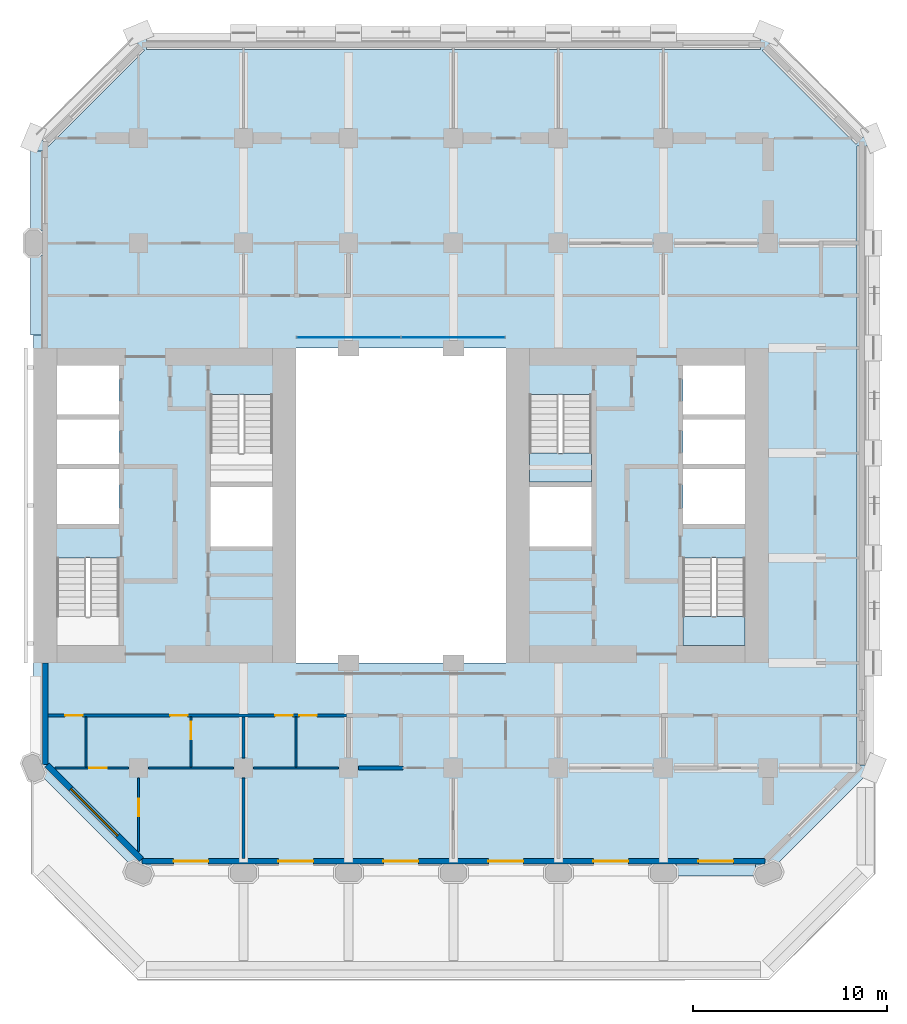
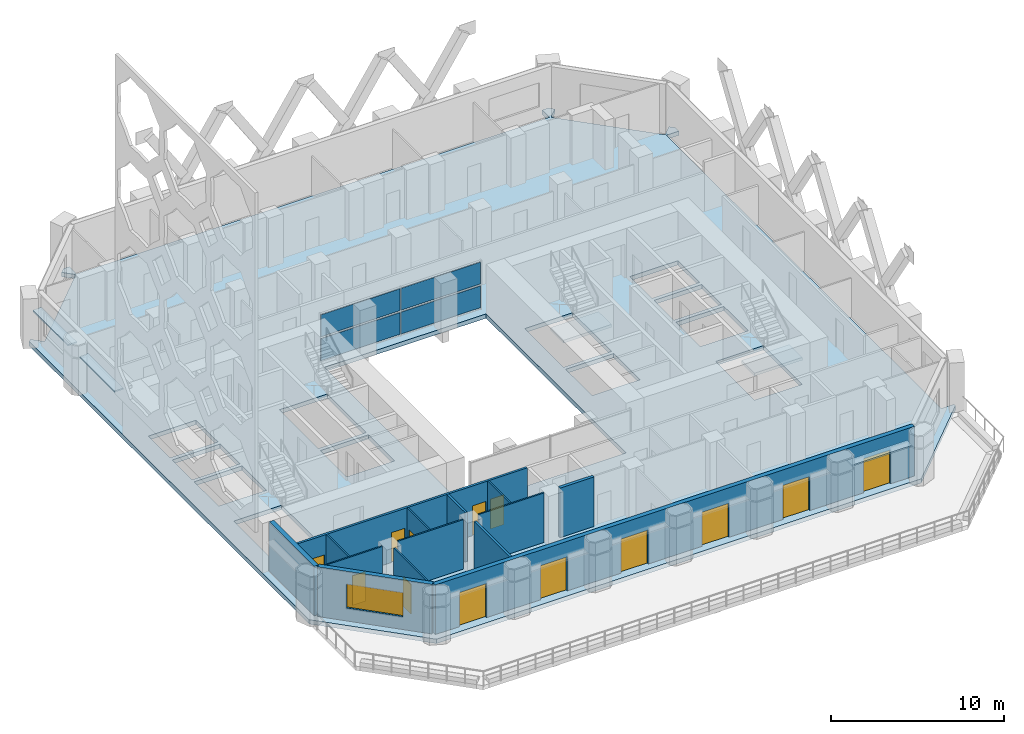
# One storey, part 8 of 16: 14 walls, 13 doors, 7 plates, 3 slabs, 1 window, 14 openings, 3 elements without a shape of their own.
"""IFC4 building model written with IfcOpenShell, lengths in metres."""

from ifc_helpers import new_model, si_unit, direction, frame, frame_2d, origin, origin_2d, place, context, subcontext, project, spatial, polyline, rectangle, outline, extrude, material, layer, layer_set, type_object, element, fill, aggregate, save


model = new_model("IFC4")

# Units and contexts
model_context = context("Model", 3, precision=1e-05, world=origin(), true_north=direction((0.0, 1.0)))
body_context = subcontext(model_context, "Body", "Model", "MODEL_VIEW")
ifc_project = project(units=[si_unit("LENGTHUNIT", "METRE"), si_unit("AREAUNIT", "SQUARE_METRE"), si_unit("VOLUMEUNIT", "CUBIC_METRE"), si_unit("PLANEANGLEUNIT", "RADIAN"), si_unit("MASSUNIT", "GRAM", prefix="KILO")], contexts=[model_context])

# Site, building, storey
site_placement = place(None, origin())
site = spatial("IfcSite", under=ifc_project, at=site_placement, CompositionType="ELEMENT")
building_placement = place(site_placement, origin())
building = spatial("IfcBuilding", under=site, at=building_placement, Name="Tabaq Tower and Sports Hall", CompositionType="ELEMENT")
storey_placement = place(building_placement, frame((0.0, 0.0, 65.0)))
storey = spatial("IfcBuildingStorey", under=building, at=storey_placement, Name="L14", CompositionType="ELEMENT", Elevation=65.0)

# Curtain wall, plates
ifc_material_1 = material(Name="Aluminium alloy 6063-T6 framed glazing", Category="aluminium")
curtain_wall_type = type_object("IfcCurtainWallType", Name="CW1 curtain wall", PredefinedType="USERDEFINED", material=ifc_material_1)
curtain_wall_placement = place(storey_placement, origin())
curtain_wall = element("IfcCurtainWall", 1, at=curtain_wall_placement, inside=storey, type_object=curtain_wall_type, Name="Atrium glazing L14 N", ObjectType="ATRIUM ENCLOSURE", PredefinedType="USERDEFINED")
ifc_material_2 = material(Name="Clear low-emissivity glass 28 mm", Category="glass")
ifc_layer_1 = layer(ifc_material_2, 0.028076171875)
ifc_layer_set_1 = layer_set([ifc_layer_1], Name="CW1 glass panel 28")
plate_type_1 = type_object("IfcPlateType", Name="CW1 glass panel 28", PredefinedType="CURTAIN_PANEL", material=ifc_layer_set_1)
plate_1_placement = place(storey_placement, frame((21.614990234375, 32.949951171875, 0.139892578125), z_axis=(0.0, 0.0, 1.0), x_axis=(1.0, 0.0, 0.0)))
plate_1 = element("IfcPlate", 2, at=plate_1_placement, type_object=plate_type_1, Name="CW1 panel 1.1", PredefinedType="CURTAIN_PANEL", context=body_context, shape_type="SweptSolid", body=[
    extrude(rectangle(XDim=5.31005859375, YDim=0.028076171875, at=origin_2d()), origin(), (0.0, 0.0, 1.0), 1.5400390625),
])
plate_2_placement = place(storey_placement, frame((21.614990234375, 32.949951171875, 1.820068359375), z_axis=(0.0, 0.0, 1.0), x_axis=(1.0, 0.0, 0.0)))
plate_2 = element("IfcPlate", 3, at=plate_2_placement, type_object=plate_type_1, Name="CW1 panel 1.2", PredefinedType="CURTAIN_PANEL", context=body_context, shape_type="SweptSolid", body=[
    extrude(rectangle(XDim=5.31005859375, YDim=0.028076171875, at=origin_2d()), origin(), (0.0, 0.0, 1.0), 1.5400390625),
])
plate_3_placement = place(storey_placement, frame((26.985107421875, 32.949951171875, 0.139892578125), z_axis=(0.0, 0.0, 1.0), x_axis=(1.0, 0.0, 0.0)))
plate_3 = element("IfcPlate", 4, at=plate_3_placement, type_object=plate_type_1, Name="CW1 panel 2.1", PredefinedType="CURTAIN_PANEL", context=body_context, shape_type="SweptSolid", body=[
    extrude(rectangle(XDim=5.31005859375, YDim=0.028076171875, at=origin_2d()), origin(), (0.0, 0.0, 1.0), 1.5400390625),
])
plate_4_placement = place(storey_placement, frame((26.985107421875, 32.949951171875, 1.820068359375), z_axis=(0.0, 0.0, 1.0), x_axis=(1.0, 0.0, 0.0)))
plate_4 = element("IfcPlate", 5, at=plate_4_placement, type_object=plate_type_1, Name="CW1 panel 2.2", PredefinedType="CURTAIN_PANEL", context=body_context, shape_type="SweptSolid", body=[
    extrude(rectangle(XDim=5.31005859375, YDim=0.028076171875, at=origin_2d()), origin(), (0.0, 0.0, 1.0), 1.5400390625),
])
aggregate(curtain_wall, [plate_1, plate_2, plate_3, plate_4])

# Stair, slab
ifc_material_3 = material(Name="Concrete C40/50", Category="concrete")
stair_type = type_object("IfcStairType", Name="Exit stair", PredefinedType="HALF_TURN_STAIR", material=ifc_material_3)
stair_1_placement = place(storey_placement, origin())
stair_1 = element("IfcStair", 6, at=stair_1_placement, inside=storey, type_object=stair_type, Name="L14 Exit stair ST3", PredefinedType="HALF_TURN_STAIR")
ifc_material_4 = material(Name="Concrete C40/50", Category="concrete")
ifc_layer_2 = layer(ifc_material_4, 0.199951171875)
ifc_layer_set_2 = layer_set([ifc_layer_2], Name="Exit stair landing")
slab_type_1 = type_object("IfcSlabType", Name="Exit stair landing", PredefinedType="LANDING", material=ifc_layer_set_2)
slab_1_placement = place(storey_placement, frame((0.0, 0.0, 1.699951171875)))
slab_1 = element("IfcSlab", 7, at=slab_1_placement, type_object=slab_type_1, Name="ST3 landing 1", PredefinedType="LANDING", context=body_context, shape_type="SweptSolid", body=[
    extrude(outline(polyline([(38.800048828125, 18.60009765625), (38.800048828125, 17.10009765625), (42.0, 17.10009765625), (42.0, 18.60009765625), (38.800048828125, 18.60009765625)])), origin(), (0.0, 0.0, 1.0), 0.199951171875),
])
aggregate(stair_1, [slab_1])

stair_2_placement = place(storey_placement, origin())
stair_2 = element("IfcStair", 8, at=stair_2_placement, inside=storey, type_object=stair_type, Name="L14 Exit stair ST4", PredefinedType="HALF_TURN_STAIR")
slab_2_placement = place(storey_placement, frame((0.0, 0.0, 1.699951171875)))
slab_2 = element("IfcSlab", 9, at=slab_2_placement, type_object=slab_type_1, Name="ST4 landing 1", PredefinedType="LANDING", context=body_context, shape_type="SweptSolid", body=[
    extrude(outline(polyline([(30.89990234375, 27.0), (30.89990234375, 25.5), (34.10009765625, 25.5), (34.10009765625, 27.0), (30.89990234375, 27.0)])), origin(), (0.0, 0.0, 1.0), 0.199951171875),
])
aggregate(stair_2, [slab_2])

# Slab
ifc_material_5 = material(Name="Concrete C40/50", Category="concrete")
ifc_layer_3 = layer(ifc_material_5, 0.300048828125)
ifc_layer_set_3 = layer_set([ifc_layer_3], Name="PT FLOOR SLAB 300 C40/50")
slab_type_2 = type_object("IfcSlabType", Name="PT FLOOR SLAB 300 C40/50", PredefinedType="FLOOR", material=ifc_layer_set_3)
slab_3_placement = place(storey_placement, frame((0.0, 0.0, -0.300048828125)))
element("IfcSlab", 10, at=slab_3_placement, inside=storey, type_object=slab_type_2, Name="Floor Slab L14", PredefinedType="FLOOR", context=body_context, shape_type="SweptSolid", body=[
    extrude(outline(polyline([(5.39990234375, 43.199951171875), (5.39990234375, 10.800048828125), (10.800048828125, 5.39990234375), (43.199951171875, 5.39990234375), (48.60009765625, 10.800048828125), (48.60009765625, 10.9619140625), (47.85009765625, 10.9619140625), (47.75, 10.9619140625), (47.75, 42.7978515625), (47.85009765625, 42.7978515625), (48.60009765625, 42.7978515625), (48.60009765625, 43.199951171875), (48.315673828125, 43.484375), (47.785400390625, 42.9541015625), (47.714599609375, 42.88330078125), (42.88330078125, 47.714599609375), (42.9541015625, 47.785400390625), (43.484375, 48.315673828125), (43.199951171875, 48.60009765625), (42.7978515625, 48.60009765625), (42.7978515625, 47.85009765625), (42.7978515625, 47.75), (11.2021484375, 47.75), (11.2021484375, 47.85009765625), (11.2021484375, 48.60009765625), (10.800048828125, 48.60009765625), (10.515625, 48.315673828125), (11.0458984375, 47.785400390625), (11.0458984375, 47.785400390625), (11.11669921875, 47.714599609375), (6.177734375, 42.775634765625), (5.57666015625, 43.376708984375), (5.39990234375, 43.199951171875)]), holes=[polyline([(6.60009765625, 21.599365234375), (9.800048828125, 21.599365234375), (9.800048828125, 17.10009765625), (6.60009765625, 17.10009765625), (6.60009765625, 21.599365234375)]), polyline([(17.699951171875, 25.25), (17.699951171875, 22.199951171875), (14.5, 22.199951171875), (14.5, 25.25), (17.699951171875, 25.25)]), polyline([(18.89990234375, 32.39990234375), (29.699951171875, 32.39990234375), (29.699951171875, 16.199951171875), (18.89990234375, 16.199951171875), (18.89990234375, 32.39990234375)]), polyline([(6.60009765625, 26.175048828125), (9.800048828125, 26.175048828125), (9.800048828125, 23.35009765625), (6.60009765625, 23.35009765625), (6.60009765625, 26.175048828125)]), polyline([(9.800048828125, 28.72509765625), (9.800048828125, 26.425048828125), (6.60009765625, 26.425048828125), (6.60009765625, 28.72509765625), (9.800048828125, 28.72509765625)]), polyline([(17.699951171875, 29.99951171875), (17.699951171875, 25.5), (14.5, 25.5), (14.5, 29.99951171875), (17.699951171875, 29.99951171875)]), polyline([(6.60009765625, 31.5), (9.800048828125, 31.5), (9.800048828125, 28.97509765625), (6.60009765625, 28.97509765625), (6.60009765625, 31.5)]), polyline([(42.0, 21.599365234375), (42.0, 17.10009765625), (38.800048828125, 17.10009765625), (38.800048828125, 21.599365234375), (42.0, 21.599365234375)]), polyline([(34.10009765625, 25.25), (34.10009765625, 22.199951171875), (30.89990234375, 22.199951171875), (30.89990234375, 25.25), (34.10009765625, 25.25)]), polyline([(42.0, 26.175048828125), (42.0, 23.35009765625), (38.800048828125, 23.35009765625), (38.800048828125, 26.175048828125), (42.0, 26.175048828125)]), polyline([(42.0, 28.72509765625), (42.0, 26.425048828125), (38.800048828125, 26.425048828125), (38.800048828125, 28.72509765625), (42.0, 28.72509765625)]), polyline([(34.10009765625, 29.99951171875), (34.10009765625, 25.5), (30.89990234375, 25.5), (30.89990234375, 29.99951171875), (34.10009765625, 29.99951171875)]), polyline([(42.0, 31.5), (42.0, 28.97509765625), (38.800048828125, 28.97509765625), (38.800048828125, 31.5), (42.0, 31.5)])]), origin(), (0.0, 0.0, 1.0), 0.300048828125),
])

# Plates
ifc_material_6 = material(Name="White precast concrete C60/75 blade", Category="concrete")
ifc_layer_4 = layer(ifc_material_6, 0.10009765625)
ifc_layer_set_4 = layer_set([ifc_layer_4], Name="White precast concrete C60/75 sunshade 100")
plate_type_2 = type_object("IfcPlateType", Name="White precast concrete C60/75 sunshade 100", PredefinedType="USERDEFINED", material=ifc_layer_set_4)
for number, where, z_axis, x_axis, name in (
    (11, (40.5, 5.550048828125, 2.599853515625), (0.0, 0.0, 1.0), (1.0, 0.0, 0.0), "Sunshade L14 S"),
    (12, (5.550048828125, 40.5, 2.599853515625), (0.0, 0.0, 1.0), (0.0, -1.0, 0.0), "Sunshade L14 W"),
    (13, (5.550048828125, 35.10009765625, 2.599853515625), (0.0, 0.0, 1.0), (0.0, -1.0, 0.0), "Sunshade L14 W"),
):
    element("IfcPlate", number, at=place(storey_placement, frame(where, z_axis=z_axis, x_axis=x_axis)), inside=storey, type_object=plate_type_2, Name=name, ObjectType="SUNSHADE", PredefinedType="USERDEFINED", context=body_context, shape_type="SweptSolid", body=[
        extrude(rectangle(XDim=4.050048828125, YDim=0.60009765625, at=origin_2d()), origin(), (0.0, 0.0, 1.0), 0.10009765625),
    ])

# Walls
ifc_material_7 = material(Name="Blockwork", Category="masonry")
ifc_layer_5 = layer(ifc_material_7, 0.199951171875)
ifc_layer_set_5 = layer_set([ifc_layer_5], Name="Fire compartment wall 200 Blockwork")
wall_type_1 = type_object("IfcWallType", Name="Fire compartment wall 200 Blockwork", PredefinedType="PARTITIONING", material=ifc_layer_set_5)
wall_1_placement = place(storey_placement, frame((22.1201171875, 10.800048828125, 0.0), z_axis=(0.0, 0.0, 1.0), x_axis=(1.0, 0.0, 0.0)))
element("IfcWall", 14, at=wall_1_placement, inside=storey, type_object=wall_type_1, Name="Compartment wall L14", PredefinedType="PARTITIONING", context=body_context, shape_type="SweptSolid", body=[
    extrude(rectangle(XDim=2.27978515625, YDim=0.199951171875, at=frame_2d((1.139892578125, 0.0))), origin(), (0.0, 0.0, 1.0), 3.5),
])
ifc_material_8 = material(Name="Gypsum board on steel studs", Category="steel")
ifc_layer_6 = layer(ifc_material_8, 0.10009765625)
ifc_layer_set_6 = layer_set([ifc_layer_6], Name="Partition 100 Gypsum board")
wall_type_2 = type_object("IfcWallType", Name="Partition 100 Gypsum board", PredefinedType="PARTITIONING", material=ifc_layer_set_6)
wall_2_placement = place(storey_placement, frame((8.10009765625, 10.85009765625, 0.0), z_axis=(0.0, 0.0, 1.0), x_axis=(0.0, 1.0, 0.0)))
element("IfcWall", 15, at=wall_2_placement, inside=storey, type_object=wall_type_2, Name="Partition wall L14", PredefinedType="PARTITIONING", context=body_context, shape_type="SweptSolid", body=[
    extrude(rectangle(XDim=2.574951171875, YDim=0.10009765625, at=frame_2d((1.28759765625, 0.0))), origin(), (0.0, 0.0, 1.0), 3.5),
])

# Wall, opening, door
wall_3_placement = place(storey_placement, frame((6.51220703125, 10.800048828125, 0.0), z_axis=(0.0, 0.0, 1.0), x_axis=(1.0, 0.0, 0.0)))
wall_3 = element("IfcWall", 16, at=wall_3_placement, inside=storey, type_object=wall_type_2, Name="Partition wall L14", PredefinedType="PARTITIONING", context=body_context, shape_type="SweptSolid", body=[
    extrude(rectangle(XDim=3.767822265625, YDim=0.10009765625, at=frame_2d((1.8837890625, 0.0))), origin(), (0.0, 0.0, 1.0), 3.5),
])
opening_1_placement = place(wall_3_placement, frame((1.7578125, 0.0, 0.0)))
opening_1 = element("IfcOpeningElement", 17, at=opening_1_placement, cuts=wall_3, Name="Opening L14-034", PredefinedType="OPENING", context=body_context, shape_type="SweptSolid", body=[
    extrude(rectangle(XDim=0.89990234375, YDim=2.10009765625, at=frame_2d((0.449951171875, 1.050048828125))), frame((0.0, 0.050048828125, 0.0), z_axis=(0.0, -1.0, 0.0), x_axis=(1.0, 0.0, 0.0)), (0.0, 0.0, 1.0), 0.10009765625),
])
ifc_material_9 = material(Name="Timber leaf in steel frame", Category="steel")
door_type_1 = type_object("IfcDoorType", Name="Internal door 900 right hand", OperationType="SINGLE_SWING_RIGHT", PredefinedType="DOOR", material=ifc_material_9)
door_1_placement = place(opening_1_placement, origin())
door_1 = element("IfcDoor", 18, at=door_1_placement, inside=storey, type_object=door_type_1, Name="Internal door L14-034", OperationType="SINGLE_SWING_RIGHT", OverallHeight=2.10009765625, OverallWidth=0.89990234375, PredefinedType="DOOR", context=body_context, shape_type="SweptSolid", body=[
    extrude(rectangle(XDim=0.89990234375, YDim=2.10009765625, at=frame_2d((0.449951171875, 1.050048828125))), frame((0.0, 0.02490234375, 0.0), z_axis=(0.0, -1.0, 0.0), x_axis=(1.0, 0.0, 0.0)), (0.0, 0.0, 1.0), 0.050048828125),
])
fill(opening_1, door_1)

wall_4_placement = place(storey_placement, frame((13.5, 10.85009765625, 0.0), z_axis=(0.0, 0.0, 1.0), x_axis=(0.0, 1.0, 0.0)))
wall_4 = element("IfcWall", 19, at=wall_4_placement, inside=storey, type_object=wall_type_2, Name="Partition wall L14", PredefinedType="PARTITIONING", context=body_context, shape_type="SweptSolid", body=[
    extrude(rectangle(XDim=2.574951171875, YDim=0.10009765625, at=frame_2d((1.28759765625, 0.0))), origin(), (0.0, 0.0, 1.0), 3.5),
])
opening_2_placement = place(wall_4_placement, frame((1.425048828125, 0.0, 0.0)))
opening_2 = element("IfcOpeningElement", 20, at=opening_2_placement, cuts=wall_4, Name="Opening L14-023", PredefinedType="OPENING", context=body_context, shape_type="SweptSolid", body=[
    extrude(rectangle(XDim=0.89990234375, YDim=2.10009765625, at=frame_2d((0.449951171875, 1.050048828125))), frame((0.0, 0.050048828125, 0.0), z_axis=(0.0, -1.0, 0.0), x_axis=(1.0, 0.0, 0.0)), (0.0, 0.0, 1.0), 0.10009765625),
])
ifc_material_10 = material(Name="Timber leaf in steel frame", Category="steel")
door_type_2 = type_object("IfcDoorType", Name="Internal door 900 left hand", OperationType="SINGLE_SWING_LEFT", PredefinedType="DOOR", material=ifc_material_10)
door_2_placement = place(opening_2_placement, origin())
door_2 = element("IfcDoor", 21, at=door_2_placement, inside=storey, type_object=door_type_2, Name="Internal door L14-023", OperationType="SINGLE_SWING_LEFT", OverallHeight=2.10009765625, OverallWidth=0.89990234375, PredefinedType="DOOR", context=body_context, shape_type="SweptSolid", body=[
    extrude(rectangle(XDim=0.89990234375, YDim=2.10009765625, at=frame_2d((0.449951171875, 1.050048828125))), frame((0.0, 0.02490234375, 0.0), z_axis=(0.0, -1.0, 0.0), x_axis=(1.0, 0.0, 0.0)), (0.0, 0.0, 1.0), 0.050048828125),
])
fill(opening_2, door_2)

# Wall
wall_5_placement = place(storey_placement, frame((11.320068359375, 10.800048828125, 0.0), z_axis=(0.0, 0.0, 1.0), x_axis=(1.0, 0.0, 0.0)))
element("IfcWall", 22, at=wall_5_placement, inside=storey, type_object=wall_type_2, Name="Partition wall L14", PredefinedType="PARTITIONING", context=body_context, shape_type="SweptSolid", body=[
    extrude(rectangle(XDim=4.35986328125, YDim=0.10009765625, at=frame_2d((2.179931640625, 0.0))), origin(), (0.0, 0.0, 1.0), 3.5),
])

# Wall, opening, door
wall_6_placement = place(storey_placement, frame((10.800048828125, 6.51220703125, 0.0), z_axis=(0.0, 0.0, 1.0), x_axis=(0.0, 1.0, 0.0)))
wall_6 = element("IfcWall", 23, at=wall_6_placement, inside=storey, type_object=wall_type_2, Name="Partition wall L14", PredefinedType="PARTITIONING", context=body_context, shape_type="SweptSolid", body=[
    extrude(rectangle(XDim=3.767822265625, YDim=0.10009765625, at=frame_2d((1.8837890625, 0.0))), origin(), (0.0, 0.0, 1.0), 3.5),
])
opening_3_placement = place(wall_6_placement, frame((1.81298828125, 0.0, 0.0)))
opening_3 = element("IfcOpeningElement", 24, at=opening_3_placement, cuts=wall_6, Name="Opening L14-030", PredefinedType="OPENING", context=body_context, shape_type="SweptSolid", body=[
    extrude(rectangle(XDim=0.89990234375, YDim=2.10009765625, at=frame_2d((0.449951171875, 1.050048828125))), frame((0.0, 0.050048828125, 0.0), z_axis=(0.0, -1.0, 0.0), x_axis=(1.0, 0.0, 0.0)), (0.0, 0.0, 1.0), 0.10009765625),
])
door_3_placement = place(opening_3_placement, origin())
door_3 = element("IfcDoor", 25, at=door_3_placement, inside=storey, type_object=door_type_2, Name="Internal door L14-030", OperationType="SINGLE_SWING_LEFT", OverallHeight=2.10009765625, OverallWidth=0.89990234375, PredefinedType="DOOR", context=body_context, shape_type="SweptSolid", body=[
    extrude(rectangle(XDim=0.89990234375, YDim=2.10009765625, at=frame_2d((0.449951171875, 1.050048828125))), frame((0.0, 0.02490234375, 0.0), z_axis=(0.0, -1.0, 0.0), x_axis=(1.0, 0.0, 0.0)), (0.0, 0.0, 1.0), 0.050048828125),
])
fill(opening_3, door_3)

# Walls
wall_7_placement = place(storey_placement, frame((18.89990234375, 10.85009765625, 0.0), z_axis=(0.0, 0.0, 1.0), x_axis=(0.0, 1.0, 0.0)))
element("IfcWall", 26, at=wall_7_placement, inside=storey, type_object=wall_type_2, Name="Partition wall L14", PredefinedType="PARTITIONING", context=body_context, shape_type="SweptSolid", body=[
    extrude(rectangle(XDim=2.574951171875, YDim=0.10009765625, at=frame_2d((1.28759765625, 0.0))), origin(), (0.0, 0.0, 1.0), 3.5),
])
wall_8_placement = place(storey_placement, frame((16.719970703125, 10.800048828125, 0.0), z_axis=(0.0, 0.0, 1.0), x_axis=(1.0, 0.0, 0.0)))
element("IfcWall", 27, at=wall_8_placement, inside=storey, type_object=wall_type_2, Name="Partition wall L14", PredefinedType="PARTITIONING", context=body_context, shape_type="SweptSolid", body=[
    extrude(rectangle(XDim=4.360107421875, YDim=0.10009765625, at=frame_2d((2.18017578125, 0.0))), origin(), (0.0, 0.0, 1.0), 3.5),
])

# Wall, openings, doors
ifc_material_11 = material(Name="Blockwork", Category="masonry")
ifc_layer_7 = layer(ifc_material_11, 0.14990234375)
ifc_layer_set_7 = layer_set([ifc_layer_7], Name="Separating wall 150 Blockwork")
wall_type_3 = type_object("IfcWallType", Name="Separating wall 150 Blockwork", PredefinedType="PARTITIONING", material=ifc_layer_set_7)
wall_9_placement = place(storey_placement, frame((21.5, 13.5, 0.0), z_axis=(0.0, 0.0, 1.0), x_axis=(-1.0, 0.0, 0.0)))
wall_9 = element("IfcWall", 28, at=wall_9_placement, inside=storey, type_object=wall_type_3, Name="Separating wall L14", PredefinedType="PARTITIONING", context=body_context, shape_type="SweptSolid", body=[
    extrude(rectangle(XDim=15.34912109375, YDim=0.14990234375, at=frame_2d((7.674560546875, 0.0))), origin(), (0.0, 0.0, 1.0), 3.5),
])
opening_4_placement = place(wall_9_placement, frame((13.570068359375, 0.0, 0.0)))
opening_4 = element("IfcOpeningElement", 29, at=opening_4_placement, cuts=wall_9, Name="Opening L14-004", PredefinedType="OPENING", context=body_context, shape_type="SweptSolid", body=[
    extrude(rectangle(XDim=0.89990234375, YDim=2.10009765625, at=frame_2d((0.449951171875, 1.050048828125))), frame((0.0, 0.074951171875, 0.0), z_axis=(0.0, -1.0, 0.0), x_axis=(1.0, 0.0, 0.0)), (0.0, 0.0, 1.0), 0.14990234375),
])
opening_5_placement = place(wall_9_placement, frame((2.77001953125, 0.0, 0.0)))
opening_5 = element("IfcOpeningElement", 30, at=opening_5_placement, cuts=wall_9, Name="Opening L14-005", PredefinedType="OPENING", context=body_context, shape_type="SweptSolid", body=[
    extrude(rectangle(XDim=0.89990234375, YDim=2.10009765625, at=frame_2d((0.449951171875, 1.050048828125))), frame((0.0, 0.074951171875, 0.0), z_axis=(0.0, -1.0, 0.0), x_axis=(1.0, 0.0, 0.0)), (0.0, 0.0, 1.0), 0.14990234375),
])
opening_6_placement = place(wall_9_placement, frame((1.530029296875, 0.0, 0.0)))
opening_6 = element("IfcOpeningElement", 31, at=opening_6_placement, cuts=wall_9, Name="Opening L14-006", PredefinedType="OPENING", context=body_context, shape_type="SweptSolid", body=[
    extrude(rectangle(XDim=0.89990234375, YDim=2.10009765625, at=frame_2d((0.449951171875, 1.050048828125))), frame((0.0, 0.074951171875, 0.0), z_axis=(0.0, -1.0, 0.0), x_axis=(1.0, 0.0, 0.0)), (0.0, 0.0, 1.0), 0.14990234375),
])
opening_7_placement = place(wall_9_placement, frame((8.169921875, 0.0, 0.0)))
opening_7 = element("IfcOpeningElement", 32, at=opening_7_placement, cuts=wall_9, Name="Opening L14-032", PredefinedType="OPENING", context=body_context, shape_type="SweptSolid", body=[
    extrude(rectangle(XDim=0.89990234375, YDim=2.10009765625, at=frame_2d((0.449951171875, 1.050048828125))), frame((0.0, 0.074951171875, 0.0), z_axis=(0.0, -1.0, 0.0), x_axis=(1.0, 0.0, 0.0)), (0.0, 0.0, 1.0), 0.14990234375),
])
ifc_material_12 = material(Name="Steel fire door", Category="steel")
door_type_3 = type_object("IfcDoorType", Name="Entrance door 900 left hand", OperationType="SINGLE_SWING_LEFT", PredefinedType="DOOR", material=ifc_material_12)
door_4_placement = place(opening_4_placement, origin())
door_4 = element("IfcDoor", 33, at=door_4_placement, inside=storey, type_object=door_type_3, Name="Entrance door L14-004", OperationType="SINGLE_SWING_LEFT", OverallHeight=2.10009765625, OverallWidth=0.89990234375, PredefinedType="DOOR", context=body_context, shape_type="SweptSolid", body=[
    extrude(rectangle(XDim=0.89990234375, YDim=2.10009765625, at=frame_2d((0.449951171875, 1.050048828125))), frame((0.0, 0.02490234375, 0.0), z_axis=(0.0, -1.0, 0.0), x_axis=(1.0, 0.0, 0.0)), (0.0, 0.0, 1.0), 0.050048828125),
])
fill(opening_4, door_4)
door_5_placement = place(opening_5_placement, origin())
door_5 = element("IfcDoor", 34, at=door_5_placement, inside=storey, type_object=door_type_3, Name="Entrance door L14-005", OperationType="SINGLE_SWING_LEFT", OverallHeight=2.10009765625, OverallWidth=0.89990234375, PredefinedType="DOOR", context=body_context, shape_type="SweptSolid", body=[
    extrude(rectangle(XDim=0.89990234375, YDim=2.10009765625, at=frame_2d((0.449951171875, 1.050048828125))), frame((0.0, 0.02490234375, 0.0), z_axis=(0.0, -1.0, 0.0), x_axis=(1.0, 0.0, 0.0)), (0.0, 0.0, 1.0), 0.050048828125),
])
fill(opening_5, door_5)
door_6_placement = place(opening_6_placement, origin())
door_6 = element("IfcDoor", 35, at=door_6_placement, inside=storey, type_object=door_type_3, Name="Entrance door L14-006", OperationType="SINGLE_SWING_LEFT", OverallHeight=2.10009765625, OverallWidth=0.89990234375, PredefinedType="DOOR", context=body_context, shape_type="SweptSolid", body=[
    extrude(rectangle(XDim=0.89990234375, YDim=2.10009765625, at=frame_2d((0.449951171875, 1.050048828125))), frame((0.0, 0.02490234375, 0.0), z_axis=(0.0, -1.0, 0.0), x_axis=(1.0, 0.0, 0.0)), (0.0, 0.0, 1.0), 0.050048828125),
])
fill(opening_6, door_6)
door_7_placement = place(opening_7_placement, origin())
door_7 = element("IfcDoor", 36, at=door_7_placement, inside=storey, type_object=door_type_3, Name="Entrance door L14-032", OperationType="SINGLE_SWING_LEFT", OverallHeight=2.10009765625, OverallWidth=0.89990234375, PredefinedType="DOOR", context=body_context, shape_type="SweptSolid", body=[
    extrude(rectangle(XDim=0.89990234375, YDim=2.10009765625, at=frame_2d((0.449951171875, 1.050048828125))), frame((0.0, 0.02490234375, 0.0), z_axis=(0.0, -1.0, 0.0), x_axis=(1.0, 0.0, 0.0)), (0.0, 0.0, 1.0), 0.050048828125),
])
fill(opening_7, door_7)

# Walls
wall_10_placement = place(storey_placement, frame((16.199951171875, 11.320068359375, 0.0), z_axis=(0.0, 0.0, 1.0), x_axis=(0.0, 1.0, 0.0)))
element("IfcWall", 37, at=wall_10_placement, inside=storey, type_object=wall_type_3, Name="Separating wall L14", PredefinedType="PARTITIONING", context=body_context, shape_type="SweptSolid", body=[
    extrude(rectangle(XDim=2.10498046875, YDim=0.14990234375, at=frame_2d((1.052490234375, 0.0))), origin(), (0.0, 0.0, 1.0), 3.5),
])
wall_11_placement = place(storey_placement, frame((16.199951171875, 6.15087890625, 0.0), z_axis=(0.0, 0.0, 1.0), x_axis=(0.0, 1.0, 0.0)))
element("IfcWall", 38, at=wall_11_placement, inside=storey, type_object=wall_type_3, Name="Separating wall L14", PredefinedType="PARTITIONING", context=body_context, shape_type="SweptSolid", body=[
    extrude(rectangle(XDim=4.129150390625, YDim=0.14990234375, at=frame_2d((2.064453125, 0.0))), origin(), (0.0, 0.0, 1.0), 3.5),
])

# Wall, openings, doors
ifc_material_13 = material(Name="White precast concrete C60/75", Category="concrete")
ifc_layer_8 = layer(ifc_material_13, 0.300048828125)
ifc_layer_set_8 = layer_set([ifc_layer_8], Name="White precast concrete C60/75 external wall 300")
wall_type_4 = type_object("IfcWallType", Name="White precast concrete C60/75 external wall 300", PredefinedType="SOLIDWALL", material=ifc_layer_set_8)
wall_12_placement = place(storey_placement, frame((10.986328125, 6.0, 0.0), z_axis=(0.0, 0.0, 1.0), x_axis=(1.0, 0.0, 0.0)))
wall_12 = element("IfcWall", 39, at=wall_12_placement, inside=storey, type_object=wall_type_4, Name="External Wall L14 S", PredefinedType="SOLIDWALL", context=body_context, shape_type="SweptSolid", body=[
    extrude(rectangle(XDim=32.02734375, YDim=0.300048828125, at=frame_2d((16.013671875, 0.0))), origin(), (0.0, 0.0, 1.0), 3.5),
])
opening_8_placement = place(wall_12_placement, frame((1.613525390625, 0.0, 0.0)))
opening_8 = element("IfcOpeningElement", 40, at=opening_8_placement, cuts=wall_12, Name="Opening TD1401", PredefinedType="OPENING", context=body_context, shape_type="SweptSolid", body=[
    extrude(rectangle(XDim=1.800048828125, YDim=2.39990234375, at=frame_2d((0.89990234375, 1.199951171875))), frame((0.0, 0.16015625, 0.0), z_axis=(0.0, -1.0, 0.0), x_axis=(1.0, 0.0, 0.0)), (0.0, 0.0, 1.0), 0.320068359375),
])
opening_9_placement = place(wall_12_placement, frame((7.013671875, 0.0, 0.0)))
opening_9 = element("IfcOpeningElement", 41, at=opening_9_placement, cuts=wall_12, Name="Opening TD1402", PredefinedType="OPENING", context=body_context, shape_type="SweptSolid", body=[
    extrude(rectangle(XDim=1.800048828125, YDim=2.39990234375, at=frame_2d((0.89990234375, 1.199951171875))), frame((0.0, 0.16015625, 0.0), z_axis=(0.0, -1.0, 0.0), x_axis=(1.0, 0.0, 0.0)), (0.0, 0.0, 1.0), 0.320068359375),
])
opening_10_placement = place(wall_12_placement, frame((12.41357421875, 0.0, 0.0)))
opening_10 = element("IfcOpeningElement", 42, at=opening_10_placement, cuts=wall_12, Name="Opening TD1403", PredefinedType="OPENING", context=body_context, shape_type="SweptSolid", body=[
    extrude(rectangle(XDim=1.800048828125, YDim=2.39990234375, at=frame_2d((0.89990234375, 1.199951171875))), frame((0.0, 0.16015625, 0.0), z_axis=(0.0, -1.0, 0.0), x_axis=(1.0, 0.0, 0.0)), (0.0, 0.0, 1.0), 0.320068359375),
])
opening_11_placement = place(wall_12_placement, frame((17.813720703125, 0.0, 0.0)))
opening_11 = element("IfcOpeningElement", 43, at=opening_11_placement, cuts=wall_12, Name="Opening TD1404", PredefinedType="OPENING", context=body_context, shape_type="SweptSolid", body=[
    extrude(rectangle(XDim=1.800048828125, YDim=2.39990234375, at=frame_2d((0.89990234375, 1.199951171875))), frame((0.0, 0.16015625, 0.0), z_axis=(0.0, -1.0, 0.0), x_axis=(1.0, 0.0, 0.0)), (0.0, 0.0, 1.0), 0.320068359375),
])
opening_12_placement = place(wall_12_placement, frame((23.213623046875, 0.0, 0.0)))
opening_12 = element("IfcOpeningElement", 44, at=opening_12_placement, cuts=wall_12, Name="Opening TD1405", PredefinedType="OPENING", context=body_context, shape_type="SweptSolid", body=[
    extrude(rectangle(XDim=1.800048828125, YDim=2.39990234375, at=frame_2d((0.89990234375, 1.199951171875))), frame((0.0, 0.16015625, 0.0), z_axis=(0.0, -1.0, 0.0), x_axis=(1.0, 0.0, 0.0)), (0.0, 0.0, 1.0), 0.320068359375),
])
opening_13_placement = place(wall_12_placement, frame((28.613525390625, 0.0, 0.0)))
opening_13 = element("IfcOpeningElement", 45, at=opening_13_placement, cuts=wall_12, Name="Opening TD1406", PredefinedType="OPENING", context=body_context, shape_type="SweptSolid", body=[
    extrude(rectangle(XDim=1.800048828125, YDim=2.39990234375, at=frame_2d((0.89990234375, 1.199951171875))), frame((0.0, 0.16015625, 0.0), z_axis=(0.0, -1.0, 0.0), x_axis=(1.0, 0.0, 0.0)), (0.0, 0.0, 1.0), 0.320068359375),
])
ifc_material_14 = material(Name="Aluminium framed clear glazing", Category="aluminium")
door_type_4 = type_object("IfcDoorType", Name="Terrace door TD1", OperationType="DOUBLE_DOOR_DOUBLE_SWING", PredefinedType="DOOR", material=ifc_material_14)
door_8_placement = place(opening_8_placement, origin())
door_8 = element("IfcDoor", 46, at=door_8_placement, inside=storey, type_object=door_type_4, Name="Terrace door TD1401", OperationType="DOUBLE_DOOR_DOUBLE_SWING", OverallHeight=2.39990234375, OverallWidth=1.800048828125, PredefinedType="DOOR", context=body_context, shape_type="SweptSolid", body=[
    extrude(rectangle(XDim=1.800048828125, YDim=2.39990234375, at=frame_2d((0.89990234375, 1.199951171875))), frame((0.0, 0.02490234375, 0.0), z_axis=(0.0, -1.0, 0.0), x_axis=(1.0, 0.0, 0.0)), (0.0, 0.0, 1.0), 0.050048828125),
])
fill(opening_8, door_8)
door_9_placement = place(opening_9_placement, origin())
door_9 = element("IfcDoor", 47, at=door_9_placement, inside=storey, type_object=door_type_4, Name="Terrace door TD1402", OperationType="DOUBLE_DOOR_DOUBLE_SWING", OverallHeight=2.39990234375, OverallWidth=1.800048828125, PredefinedType="DOOR", context=body_context, shape_type="SweptSolid", body=[
    extrude(rectangle(XDim=1.800048828125, YDim=2.39990234375, at=frame_2d((0.89990234375, 1.199951171875))), frame((0.0, 0.02490234375, 0.0), z_axis=(0.0, -1.0, 0.0), x_axis=(1.0, 0.0, 0.0)), (0.0, 0.0, 1.0), 0.050048828125),
])
fill(opening_9, door_9)
door_10_placement = place(opening_10_placement, origin())
door_10 = element("IfcDoor", 48, at=door_10_placement, inside=storey, type_object=door_type_4, Name="Terrace door TD1403", OperationType="DOUBLE_DOOR_DOUBLE_SWING", OverallHeight=2.39990234375, OverallWidth=1.800048828125, PredefinedType="DOOR", context=body_context, shape_type="SweptSolid", body=[
    extrude(rectangle(XDim=1.800048828125, YDim=2.39990234375, at=frame_2d((0.89990234375, 1.199951171875))), frame((0.0, 0.02490234375, 0.0), z_axis=(0.0, -1.0, 0.0), x_axis=(1.0, 0.0, 0.0)), (0.0, 0.0, 1.0), 0.050048828125),
])
fill(opening_10, door_10)
door_11_placement = place(opening_11_placement, origin())
door_11 = element("IfcDoor", 49, at=door_11_placement, inside=storey, type_object=door_type_4, Name="Terrace door TD1404", OperationType="DOUBLE_DOOR_DOUBLE_SWING", OverallHeight=2.39990234375, OverallWidth=1.800048828125, PredefinedType="DOOR", context=body_context, shape_type="SweptSolid", body=[
    extrude(rectangle(XDim=1.800048828125, YDim=2.39990234375, at=frame_2d((0.89990234375, 1.199951171875))), frame((0.0, 0.02490234375, 0.0), z_axis=(0.0, -1.0, 0.0), x_axis=(1.0, 0.0, 0.0)), (0.0, 0.0, 1.0), 0.050048828125),
])
fill(opening_11, door_11)
door_12_placement = place(opening_12_placement, origin())
door_12 = element("IfcDoor", 50, at=door_12_placement, inside=storey, type_object=door_type_4, Name="Terrace door TD1405", OperationType="DOUBLE_DOOR_DOUBLE_SWING", OverallHeight=2.39990234375, OverallWidth=1.800048828125, PredefinedType="DOOR", context=body_context, shape_type="SweptSolid", body=[
    extrude(rectangle(XDim=1.800048828125, YDim=2.39990234375, at=frame_2d((0.89990234375, 1.199951171875))), frame((0.0, 0.02490234375, 0.0), z_axis=(0.0, -1.0, 0.0), x_axis=(1.0, 0.0, 0.0)), (0.0, 0.0, 1.0), 0.050048828125),
])
fill(opening_12, door_12)
door_13_placement = place(opening_13_placement, origin())
door_13 = element("IfcDoor", 51, at=door_13_placement, inside=storey, type_object=door_type_4, Name="Terrace door TD1406", OperationType="DOUBLE_DOOR_DOUBLE_SWING", OverallHeight=2.39990234375, OverallWidth=1.800048828125, PredefinedType="DOOR", context=body_context, shape_type="SweptSolid", body=[
    extrude(rectangle(XDim=1.800048828125, YDim=2.39990234375, at=frame_2d((0.89990234375, 1.199951171875))), frame((0.0, 0.02490234375, 0.0), z_axis=(0.0, -1.0, 0.0), x_axis=(1.0, 0.0, 0.0)), (0.0, 0.0, 1.0), 0.050048828125),
])
fill(opening_13, door_13)

# Wall
wall_13_placement = place(storey_placement, frame((6.0, 16.199951171875, 0.0), z_axis=(0.0, 0.0, 1.0), x_axis=(0.0, -1.0, 0.0)))
element("IfcWall", 52, at=wall_13_placement, inside=storey, type_object=wall_type_4, Name="External Wall L14 W", PredefinedType="SOLIDWALL", context=body_context, shape_type="SweptSolid", body=[
    extrude(rectangle(XDim=5.213623046875, YDim=0.300048828125, at=frame_2d((2.60693359375, 0.0))), origin(), (0.0, 0.0, 1.0), 3.5),
])

# Wall, opening, window
wall_14_placement = place(storey_placement, frame((6.098876953125, 10.949462890625, 0.0), z_axis=(0.0, 0.0, 1.0), x_axis=(0.707106781187, -0.707106781187, 0.0)))
wall_14 = element("IfcWall", 53, at=wall_14_placement, inside=storey, type_object=wall_type_4, Name="External Wall L14 SW", PredefinedType="SOLIDWALL", context=body_context, shape_type="SweptSolid", body=[
    extrude(rectangle(XDim=6.85986328125, YDim=0.300048828125, at=frame_2d((3.429931640625, 0.0))), origin(), (0.0, 0.0, 1.0), 3.5),
])
opening_14_placement = place(wall_14_placement, frame((1.729736328125, 0.0, 0.89990234375)))
opening_14 = element("IfcOpeningElement", 54, at=opening_14_placement, cuts=wall_14, Name="Opening W1A", PredefinedType="OPENING", context=body_context, shape_type="SweptSolid", body=[
    extrude(rectangle(XDim=3.39990234375, YDim=1.699951171875, at=frame_2d((1.699951171875, 0.85009765625))), frame((0.0, 0.16015625, 0.0), z_axis=(0.0, -1.0, 0.0), x_axis=(1.0, 0.0, 0.0)), (0.0, 0.0, 1.0), 0.320068359375),
])
ifc_material_15 = material(Name="Aluminium framed clear glazing", Category="aluminium")
window_type = type_object("IfcWindowType", Name="Window W1A", PartitioningType="SINGLE_PANEL", PredefinedType="WINDOW", material=ifc_material_15)
window_placement = place(opening_14_placement, origin())
window = element("IfcWindow", 55, at=window_placement, inside=storey, type_object=window_type, Name="Window W1A L14", OverallHeight=1.699951171875, OverallWidth=3.39990234375, PartitioningType="SINGLE_PANEL", PredefinedType="WINDOW", context=body_context, shape_type="SweptSolid", body=[
    extrude(rectangle(XDim=3.39990234375, YDim=1.699951171875, at=frame_2d((1.699951171875, 0.85009765625))), frame((0.0, 0.030029296875, 0.0), z_axis=(0.0, -1.0, 0.0), x_axis=(1.0, 0.0, 0.0)), (0.0, 0.0, 1.0), 0.06005859375),
])
fill(opening_14, window)

save(model, "model.ifc")
